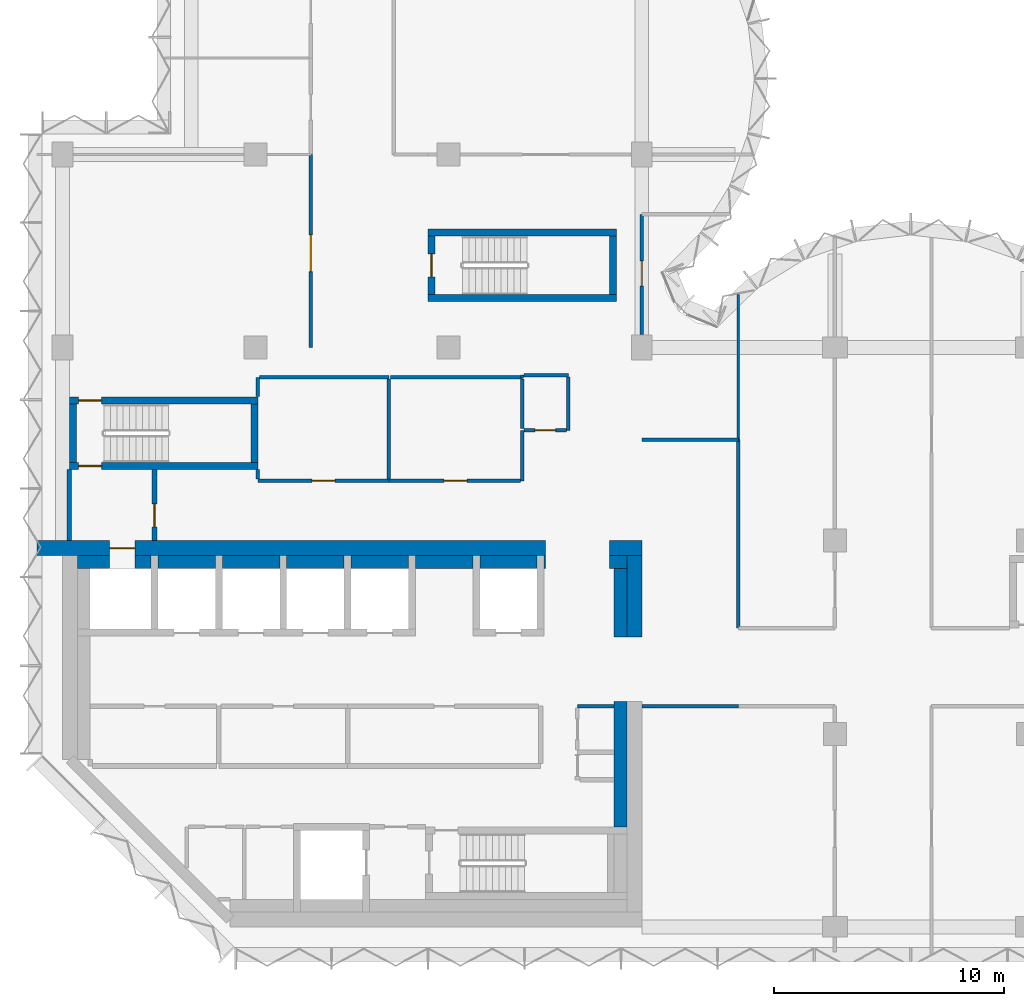
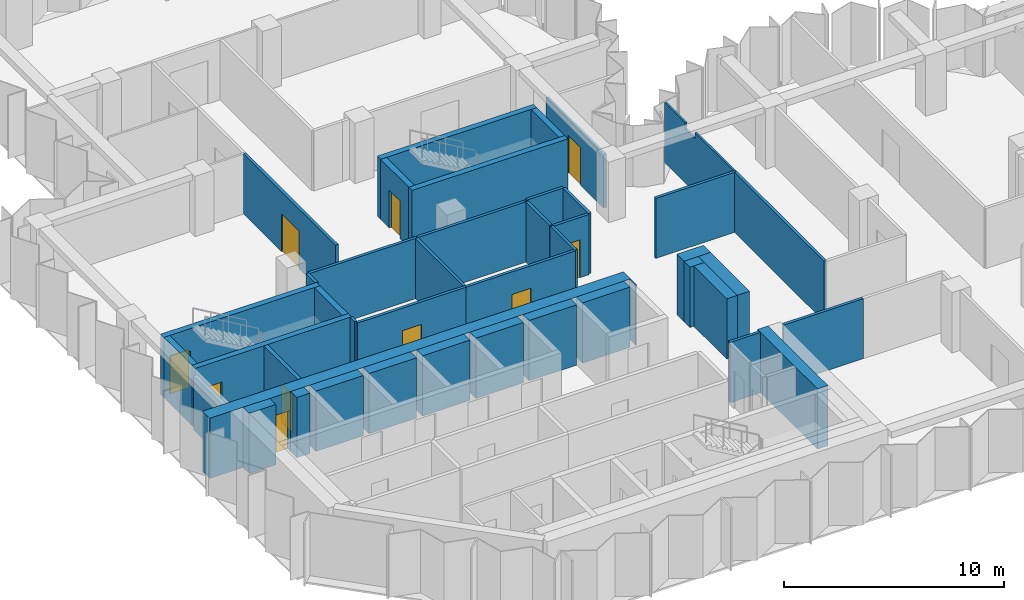
# One storey, part 6 of 10: 45 walls, 10 doors, 10 openings.
"""IFC4 building model written with IfcOpenShell, lengths in metres."""

from ifc_helpers import new_model, si_unit, direction, frame, frame_2d, origin, place, context, subcontext, project, spatial, polyline, rectangle, outline, extrude, material, layer, layer_set, type_object, element, fill, save


model = new_model("IFC4")

# Units and contexts
model_context = context("Model", 3, precision=1e-05, world=origin(), true_north=direction((0.0, 1.0)))
body_context = subcontext(model_context, "Body", "Model", "MODEL_VIEW")
ifc_project = project(units=[si_unit("LENGTHUNIT", "METRE"), si_unit("AREAUNIT", "SQUARE_METRE"), si_unit("VOLUMEUNIT", "CUBIC_METRE"), si_unit("PLANEANGLEUNIT", "RADIAN"), si_unit("MASSUNIT", "GRAM", prefix="KILO")], contexts=[model_context])

# Site, building, storey
site_placement = place(None, origin())
site = spatial("IfcSite", under=ifc_project, at=site_placement, CompositionType="ELEMENT")
building_placement = place(site_placement, origin())
building = spatial("IfcBuilding", under=site, at=building_placement, Name="Brevane Broadcast Tower", CompositionType="ELEMENT")
storey_placement = place(building_placement, frame((0.0, 0.0, 181.199951171875)))
storey = spatial("IfcBuildingStorey", under=building, at=storey_placement, Name="L45", CompositionType="ELEMENT", Elevation=181.199951171875)

# Walls
ifc_material_1 = material(Name="Concrete C32/40", Category="concrete")
ifc_layer_1 = layer(ifc_material_1, 0.550048828125)
ifc_layer_set_1 = layer_set([ifc_layer_1], Name="Core chase wall 550 mm")
wall_type_1 = type_object("IfcWallType", Name="Core chase wall 550 mm", PredefinedType="PARTITIONING", material=ifc_layer_set_1)
wall_1_placement = place(storey_placement, frame((24.27490234375, 12.60009765625, 0.0), z_axis=(0.0, 0.0, 1.0), x_axis=(0.0, 1.0, 0.0)))
element("IfcWall", 1, at=wall_1_placement, inside=storey, type_object=wall_type_1, Name="L45 chase wall LE2", PredefinedType="PARTITIONING", context=body_context, shape_type="SweptSolid", body=[
    extrude(rectangle(XDim=3.0, YDim=0.550048828125, at=frame_2d((1.5, 0.0))), origin(), (0.0, 0.0, 1.0), 3.35009765625),
])
wall_2_placement = place(storey_placement, frame((0.64990234375, 15.875, 0.0), z_axis=(0.0, 0.0, 1.0), x_axis=(1.0, 0.0, 0.0)))
element("IfcWall", 2, at=wall_2_placement, inside=storey, type_object=wall_type_1, Name="L45 chase wall LN0", PredefinedType="PARTITIONING", context=body_context, shape_type="SweptSolid", body=[
    extrude(rectangle(XDim=1.400146484375, YDim=0.550048828125, at=frame_2d((0.7001953125, 0.0))), origin(), (0.0, 0.0, 1.0), 3.35009765625),
])
wall_3_placement = place(storey_placement, frame((23.800048828125, 15.875, 0.0), z_axis=(0.0, 0.0, 1.0), x_axis=(1.0, 0.0, 0.0)))
element("IfcWall", 3, at=wall_3_placement, inside=storey, type_object=wall_type_1, Name="L45 chase wall LN2", PredefinedType="PARTITIONING", context=body_context, shape_type="SweptSolid", body=[
    extrude(rectangle(XDim=0.75, YDim=0.550048828125, at=frame_2d((0.375, 0.0))), origin(), (0.0, 0.0, 1.0), 3.35009765625),
])
wall_4_placement = place(storey_placement, frame((3.14990234375, 15.875, 0.0), z_axis=(0.0, 0.0, 1.0), x_axis=(1.0, 0.0, 0.0)))
element("IfcWall", 4, at=wall_4_placement, inside=storey, type_object=wall_type_1, Name="L45 chase wall LN1-1", PredefinedType="PARTITIONING", context=body_context, shape_type="SweptSolid", body=[
    extrude(rectangle(XDim=0.7001953125, YDim=0.550048828125, at=frame_2d((0.35009765625, 0.0))), origin(), (0.0, 0.0, 1.0), 3.35009765625),
])
for number, where, z_axis, x_axis, name in (
    (5, (4.14990234375, 15.875, 0.0), (0.0, 0.0, 1.0), (1.0, 0.0, 0.0), "L45 chase wall LN1-2-1"),
    (6, (6.949951171875, 15.875, 0.0), (0.0, 0.0, 1.0), (1.0, 0.0, 0.0), "L45 chase wall LN1-2-2-1"),
    (7, (9.75, 15.875, 0.0), (0.0, 0.0, 1.0), (1.0, 0.0, 0.0), "L45 chase wall LN1-2-2-2-1"),
    (8, (12.550048828125, 15.875, 0.0), (0.0, 0.0, 1.0), (1.0, 0.0, 0.0), "L45 chase wall LN1-2-2-2-2-1"),
    (9, (15.35009765625, 15.875, 0.0), (0.0, 0.0, 1.0), (1.0, 0.0, 0.0), "L45 chase wall LN1-2-2-2-2-2-1"),
    (10, (18.14990234375, 15.875, 0.0), (0.0, 0.0, 1.0), (1.0, 0.0, 0.0), "L45 chase wall LN1-2-2-2-2-2-2-1"),
):
    element("IfcWall", number, at=place(storey_placement, frame(where, z_axis=z_axis, x_axis=x_axis)), inside=storey, type_object=wall_type_1, Name=name, PredefinedType="PARTITIONING", context=body_context, shape_type="SweptSolid", body=[
        extrude(rectangle(XDim=2.5, YDim=0.550048828125, at=frame_2d((1.25, 0.0))), origin(), (0.0, 0.0, 1.0), 3.35009765625),
    ])
wall_5_placement = place(storey_placement, frame((20.949951171875, 15.875, 0.0), z_axis=(0.0, 0.0, 1.0), x_axis=(1.0, 0.0, 0.0)))
element("IfcWall", 11, at=wall_5_placement, inside=storey, type_object=wall_type_1, Name="L45 chase wall LN1-2-2-2-2-2-2-2", PredefinedType="PARTITIONING", context=body_context, shape_type="SweptSolid", body=[
    extrude(rectangle(XDim=0.050048828125, YDim=0.550048828125, at=frame_2d((0.02490234375, 0.0))), origin(), (0.0, 0.0, 1.0), 3.35009765625),
])
wall_6_placement = place(storey_placement, frame((24.27490234375, 4.35009765625, 0.0), z_axis=(0.0, 0.0, 1.0), x_axis=(0.0, 1.0, 0.0)))
element("IfcWall", 12, at=wall_6_placement, inside=storey, type_object=wall_type_1, Name="L45 chase wall LE1-2-2", PredefinedType="PARTITIONING", context=body_context, shape_type="SweptSolid", body=[
    extrude(rectangle(XDim=5.449951171875, YDim=0.550048828125, at=frame_2d((2.72509765625, 0.0))), origin(), (0.0, 0.0, 1.0), 3.35009765625),
])

# Wall, opening, door
ifc_material_2 = material(Name="Gypsum board on steel studs", Category="steel")
ifc_layer_2 = layer(ifc_material_2, 0.14990234375)
ifc_layer_set_2 = layer_set([ifc_layer_2], Name="Core fire partition 150 mm")
wall_type_2 = type_object("IfcWallType", Name="Core fire partition 150 mm", PredefinedType="PARTITIONING", material=ifc_layer_set_2)
wall_7_placement = place(storey_placement, frame((14.199951171875, 19.39990234375, 0.0), z_axis=(0.0, 0.0, 1.0), x_axis=(-1.0, 0.0, 0.0)))
wall_7 = element("IfcWall", 13, at=wall_7_placement, inside=storey, type_object=wall_type_2, Name="L45 partition wall P22", PredefinedType="PARTITIONING", context=body_context, shape_type="SweptSolid", body=[
    extrude(rectangle(XDim=5.699951171875, YDim=0.14990234375, at=frame_2d((2.85009765625, 0.0))), origin(), (0.0, 0.0, 1.0), 3.35009765625),
])
opening_1_placement = place(wall_7_placement, frame((2.35009765625, 0.0, 0.0)))
opening_1 = element("IfcOpeningElement", 14, at=opening_1_placement, cuts=wall_7, Name="Opening L45-K24", PredefinedType="OPENING", context=body_context, shape_type="SweptSolid", body=[
    extrude(rectangle(XDim=1.0, YDim=2.10009765625, at=frame_2d((0.5, 1.050048828125))), frame((0.0, 0.0849609375, 0.0), z_axis=(0.0, -1.0, 0.0), x_axis=(1.0, 0.0, 0.0)), (0.0, 0.0, 1.0), 0.169921875),
])
ifc_material_3 = material(Name="Steel", Category="steel")
door_type_1 = type_object("IfcDoorType", Name="Service room door 1000 x 2100", OperationType="SINGLE_SWING_LEFT", PredefinedType="DOOR", material=ifc_material_3)
door_1_placement = place(opening_1_placement, origin())
door_1 = element("IfcDoor", 15, at=door_1_placement, inside=storey, type_object=door_type_1, Name="Door L45-K24", OperationType="SINGLE_SWING_LEFT", OverallHeight=2.10009765625, OverallWidth=1.0, PredefinedType="DOOR", context=body_context, shape_type="SweptSolid", body=[
    extrude(rectangle(XDim=1.0, YDim=2.10009765625, at=frame_2d((0.5, 1.050048828125))), frame((0.0, 0.02490234375, 0.0), z_axis=(0.0, -1.0, 0.0), x_axis=(1.0, 0.0, 0.0)), (0.0, 0.0, 1.0), 0.050048828125),
])
fill(opening_1, door_1)

# Walls
wall_8_placement = place(storey_placement, frame((8.5, 19.47509765625, 0.0), z_axis=(0.0, 0.0, 1.0), x_axis=(0.0, 1.0, 0.0)))
element("IfcWall", 16, at=wall_8_placement, inside=storey, type_object=wall_type_2, Name="L45 partition wall P23", PredefinedType="PARTITIONING", context=body_context, shape_type="SweptSolid", body=[
    extrude(rectangle(XDim=0.412841796875, YDim=0.14990234375, at=frame_2d((0.20654296875, 0.0))), origin(), (0.0, 0.0, 1.0), 3.35009765625),
])
wall_9_placement = place(storey_placement, frame((8.5, 23.06201171875, 0.0), z_axis=(0.0, 0.0, 1.0), x_axis=(0.0, 1.0, 0.0)))
element("IfcWall", 17, at=wall_9_placement, inside=storey, type_object=wall_type_2, Name="L45 partition wall P24", PredefinedType="PARTITIONING", context=body_context, shape_type="SweptSolid", body=[
    extrude(rectangle(XDim=0.837890625, YDim=0.14990234375, at=frame_2d((0.4189453125, 0.0))), origin(), (0.0, 0.0, 1.0), 3.35009765625),
])
wall_10_placement = place(storey_placement, frame((8.574951171875, 23.89990234375, 0.0), z_axis=(0.0, 0.0, 1.0), x_axis=(1.0, 0.0, 0.0)))
element("IfcWall", 18, at=wall_10_placement, inside=storey, type_object=wall_type_2, Name="L45 partition wall P25", PredefinedType="PARTITIONING", context=body_context, shape_type="SweptSolid", body=[
    extrude(rectangle(XDim=5.625, YDim=0.14990234375, at=frame_2d((2.8125, 0.0))), origin(), (0.0, 0.0, 1.0), 3.35009765625),
])
wall_11_placement = place(storey_placement, frame((20.0, 21.60009765625, 0.0), z_axis=(0.0, 0.0, 1.0), x_axis=(0.0, -1.0, 0.0)))
element("IfcWall", 19, at=wall_11_placement, inside=storey, type_object=wall_type_2, Name="L45 partition wall P26", PredefinedType="PARTITIONING", context=body_context, shape_type="SweptSolid", body=[
    extrude(rectangle(XDim=2.2001953125, YDim=0.14990234375, at=frame_2d((1.10009765625, 0.0))), origin(), (0.0, 0.0, 1.0), 3.35009765625),
])

# Wall, opening, door
wall_12_placement = place(storey_placement, frame((19.925048828125, 19.39990234375, 0.0), z_axis=(0.0, 0.0, 1.0), x_axis=(-1.0, 0.0, 0.0)))
wall_12 = element("IfcWall", 20, at=wall_12_placement, inside=storey, type_object=wall_type_2, Name="L45 partition wall P27", PredefinedType="PARTITIONING", context=body_context, shape_type="SweptSolid", body=[
    extrude(rectangle(XDim=5.72509765625, YDim=0.14990234375, at=frame_2d((2.862548828125, 0.0))), origin(), (0.0, 0.0, 1.0), 3.35009765625),
])
opening_2_placement = place(wall_12_placement, frame((2.324951171875, 0.0, 0.0)))
opening_2 = element("IfcOpeningElement", 21, at=opening_2_placement, cuts=wall_12, Name="Opening L45-K25", PredefinedType="OPENING", context=body_context, shape_type="SweptSolid", body=[
    extrude(rectangle(XDim=1.0, YDim=2.10009765625, at=frame_2d((0.5, 1.050048828125))), frame((0.0, 0.0849609375, 0.0), z_axis=(0.0, -1.0, 0.0), x_axis=(1.0, 0.0, 0.0)), (0.0, 0.0, 1.0), 0.169921875),
])
door_2_placement = place(opening_2_placement, origin())
door_2 = element("IfcDoor", 22, at=door_2_placement, inside=storey, type_object=door_type_1, Name="Door L45-K25", OperationType="SINGLE_SWING_RIGHT", OverallHeight=2.10009765625, OverallWidth=1.0, PredefinedType="DOOR", context=body_context, shape_type="SweptSolid", body=[
    extrude(rectangle(XDim=1.0, YDim=2.10009765625, at=frame_2d((0.5, 1.050048828125))), frame((0.0, 0.02490234375, 0.0), z_axis=(0.0, -1.0, 0.0), x_axis=(1.0, 0.0, 0.0)), (0.0, 0.0, 1.0), 0.050048828125),
])
fill(opening_2, door_2)

# Walls
wall_13_placement = place(storey_placement, frame((14.199951171875, 23.824951171875, 0.0), z_axis=(0.0, 0.0, 1.0), x_axis=(0.0, -1.0, 0.0)))
element("IfcWall", 23, at=wall_13_placement, inside=storey, type_object=wall_type_2, Name="L45 partition wall P28", PredefinedType="PARTITIONING", context=body_context, shape_type="SweptSolid", body=[
    extrude(rectangle(XDim=4.349853515625, YDim=0.14990234375, at=frame_2d((2.1748046875, 0.0))), origin(), (0.0, 0.0, 1.0), 3.35009765625),
])
wall_14_placement = place(storey_placement, frame((14.27490234375, 23.89990234375, 0.0), z_axis=(0.0, 0.0, 1.0), x_axis=(1.0, 0.0, 0.0)))
element("IfcWall", 24, at=wall_14_placement, inside=storey, type_object=wall_type_2, Name="L45 partition wall P29", PredefinedType="PARTITIONING", context=body_context, shape_type="SweptSolid", body=[
    extrude(rectangle(XDim=5.72509765625, YDim=0.14990234375, at=frame_2d((2.862548828125, 0.0))), origin(), (0.0, 0.0, 1.0), 3.35009765625),
])
wall_15_placement = place(storey_placement, frame((20.0, 23.89990234375, 0.0), z_axis=(0.0, 0.0, 1.0), x_axis=(0.0, 1.0, 0.0)))
element("IfcWall", 25, at=wall_15_placement, inside=storey, type_object=wall_type_2, Name="L45 partition wall P30", PredefinedType="PARTITIONING", context=body_context, shape_type="SweptSolid", body=[
    extrude(rectangle(XDim=0.10009765625, YDim=0.14990234375, at=frame_2d((0.050048828125, 0.0))), origin(), (0.0, 0.0, 1.0), 3.35009765625),
])
wall_16_placement = place(storey_placement, frame((20.074951171875, 24.0, 0.0), z_axis=(0.0, 0.0, 1.0), x_axis=(1.0, 0.0, 0.0)))
element("IfcWall", 26, at=wall_16_placement, inside=storey, type_object=wall_type_2, Name="L45 partition wall P31", PredefinedType="PARTITIONING", context=body_context, shape_type="SweptSolid", body=[
    extrude(rectangle(XDim=1.925048828125, YDim=0.14990234375, at=frame_2d((0.96240234375, 0.0))), origin(), (0.0, 0.0, 1.0), 3.35009765625),
])
wall_17_placement = place(storey_placement, frame((22.0, 23.925048828125, 0.0), z_axis=(0.0, 0.0, 1.0), x_axis=(0.0, -1.0, 0.0)))
element("IfcWall", 27, at=wall_17_placement, inside=storey, type_object=wall_type_2, Name="L45 partition wall P32", PredefinedType="PARTITIONING", context=body_context, shape_type="SweptSolid", body=[
    extrude(rectangle(XDim=2.324951171875, YDim=0.14990234375, at=frame_2d((1.16259765625, 0.0))), origin(), (0.0, 0.0, 1.0), 3.35009765625),
])

# Wall, opening, door
wall_18_placement = place(storey_placement, frame((21.925048828125, 21.60009765625, 0.0), z_axis=(0.0, 0.0, 1.0), x_axis=(-1.0, 0.0, 0.0)))
wall_18 = element("IfcWall", 28, at=wall_18_placement, inside=storey, type_object=wall_type_2, Name="L45 partition wall P33", PredefinedType="PARTITIONING", context=body_context, shape_type="SweptSolid", body=[
    extrude(rectangle(XDim=1.85009765625, YDim=0.14990234375, at=frame_2d((0.925048828125, 0.0))), origin(), (0.0, 0.0, 1.0), 3.35009765625),
])
opening_3_placement = place(wall_18_placement, frame((0.47509765625, 0.0, 0.0)))
opening_3 = element("IfcOpeningElement", 29, at=opening_3_placement, cuts=wall_18, Name="Opening L45-K23", PredefinedType="OPENING", context=body_context, shape_type="SweptSolid", body=[
    extrude(rectangle(XDim=0.89990234375, YDim=2.10009765625, at=frame_2d((0.449951171875, 1.050048828125))), frame((0.0, 0.0849609375, 0.0), z_axis=(0.0, -1.0, 0.0), x_axis=(1.0, 0.0, 0.0)), (0.0, 0.0, 1.0), 0.169921875),
])
ifc_material_4 = material(Name="Timber", Category="wood")
door_type_2 = type_object("IfcDoorType", Name="Toilet door 900 x 2100", OperationType="SINGLE_SWING_LEFT", PredefinedType="DOOR", material=ifc_material_4)
door_3_placement = place(opening_3_placement, origin())
door_3 = element("IfcDoor", 30, at=door_3_placement, inside=storey, type_object=door_type_2, Name="Door L45-K23", OperationType="SINGLE_SWING_RIGHT", OverallHeight=2.10009765625, OverallWidth=0.89990234375, PredefinedType="DOOR", context=body_context, shape_type="SweptSolid", body=[
    extrude(rectangle(XDim=0.89990234375, YDim=2.10009765625, at=frame_2d((0.449951171875, 1.050048828125))), frame((0.0, 0.02490234375, 0.0), z_axis=(0.0, -1.0, 0.0), x_axis=(1.0, 0.0, 0.0)), (0.0, 0.0, 1.0), 0.050048828125),
])
fill(opening_3, door_3)

# Walls
wall_19_placement = place(storey_placement, frame((20.0, 21.675048828125, 0.0), z_axis=(0.0, 0.0, 1.0), x_axis=(0.0, 1.0, 0.0)))
element("IfcWall", 31, at=wall_19_placement, inside=storey, type_object=wall_type_2, Name="L45 partition wall P34", PredefinedType="PARTITIONING", context=body_context, shape_type="SweptSolid", body=[
    extrude(rectangle(XDim=2.14990234375, YDim=0.14990234375, at=frame_2d((1.074951171875, 0.0))), origin(), (0.0, 0.0, 1.0), 3.35009765625),
])
wall_20_placement = place(storey_placement, frame((23.988037109375, 9.60009765625, 0.0), z_axis=(0.0, 0.0, 1.0), x_axis=(-1.0, 0.0, 0.0)))
element("IfcWall", 32, at=wall_20_placement, inside=storey, type_object=wall_type_2, Name="L45 partition wall P35", PredefinedType="PARTITIONING", context=body_context, shape_type="SweptSolid", body=[
    extrude(rectangle(XDim=1.588134765625, YDim=0.14990234375, at=frame_2d((0.7939453125, 0.0))), origin(), (0.0, 0.0, 1.0), 3.35009765625),
])
ifc_layer_3 = layer(ifc_material_2, 0.199951171875)
ifc_layer_set_3 = layer_set([ifc_layer_3], Name="Core fire partition 200 mm")
wall_type_3 = type_object("IfcWallType", Name="Core fire partition 200 mm", PredefinedType="PARTITIONING", material=ifc_layer_set_3)
wall_21_placement = place(storey_placement, frame((0.300048828125, 16.81201171875, 0.0), z_axis=(0.0, 0.0, 1.0), x_axis=(0.0, 1.0, 0.0)))
element("IfcWall", 33, at=wall_21_placement, inside=storey, type_object=wall_type_3, Name="L45 partition wall P01", PredefinedType="PARTITIONING", context=body_context, shape_type="SweptSolid", body=[
    extrude(rectangle(XDim=3.075927734375, YDim=0.199951171875, at=frame_2d((1.5380859375, 0.0))), origin(), (0.0, 0.0, 1.0), 2.97998046875),
])

# Wall, opening, door
wall_22_placement = place(storey_placement, frame((4.0, 19.887939453125, 0.0), z_axis=(0.0, 0.0, 1.0), x_axis=(0.0, -1.0, 0.0)))
wall_22 = element("IfcWall", 34, at=wall_22_placement, inside=storey, type_object=wall_type_3, Name="L45 partition wall P02", PredefinedType="PARTITIONING", context=body_context, shape_type="SweptSolid", body=[
    extrude(rectangle(XDim=3.075927734375, YDim=0.199951171875, at=frame_2d((1.5380859375, 0.0))), origin(), (0.0, 0.0, 1.0), 3.35009765625),
])
opening_4_placement = place(wall_22_placement, frame((1.488037109375, 0.0, 0.0)))
opening_4 = element("IfcOpeningElement", 35, at=opening_4_placement, cuts=wall_22, Name="Opening L45-K22", PredefinedType="OPENING", context=body_context, shape_type="SweptSolid", body=[
    extrude(rectangle(XDim=1.0, YDim=2.10009765625, at=frame_2d((0.5, 1.050048828125))), frame((0.0, 0.10986328125, 0.0), z_axis=(0.0, -1.0, 0.0), x_axis=(1.0, 0.0, 0.0)), (0.0, 0.0, 1.0), 0.219970703125),
])
door_type_3 = type_object("IfcDoorType", Name="Stair door 1000 x 2100", OperationType="SINGLE_SWING_LEFT", PredefinedType="DOOR", material=ifc_material_3)
door_4_placement = place(opening_4_placement, origin())
door_4 = element("IfcDoor", 36, at=door_4_placement, inside=storey, type_object=door_type_3, Name="Door L45-K22", OperationType="SINGLE_SWING_LEFT", OverallHeight=2.10009765625, OverallWidth=1.0, PredefinedType="DOOR", context=body_context, shape_type="SweptSolid", body=[
    extrude(rectangle(XDim=1.0, YDim=2.10009765625, at=frame_2d((0.5, 1.050048828125))), frame((0.0, 0.02490234375, 0.0), z_axis=(0.0, -1.0, 0.0), x_axis=(1.0, 0.0, 0.0)), (0.0, 0.0, 1.0), 0.050048828125),
])
fill(opening_4, door_4)

ifc_material_5 = material(Name="Concrete C60/75", Category="concrete")
ifc_layer_4 = layer(ifc_material_5, 0.300048828125)
ifc_layer_set_4 = layer_set([ifc_layer_4], Name="Core wall 300 mm C60/75")
wall_type_4 = type_object("IfcWallType", Name="Core wall 300 mm C60/75", PredefinedType="SHEAR", material=ifc_layer_set_4)
wall_23_placement = place(storey_placement, frame((8.5, 20.050048828125, 0.0), z_axis=(0.0, 0.0, 1.0), x_axis=(-1.0, 0.0, 0.0)))
wall_23 = element("IfcWall", 37, at=wall_23_placement, inside=storey, type_object=wall_type_4, Name="L45 stair wall ST-1-S", PredefinedType="SHEAR", context=body_context, shape_type="SweptSolid", body=[
    extrude(rectangle(XDim=8.199951171875, YDim=0.300048828125, at=frame_2d((4.10009765625, 0.0))), origin(), (0.0, 0.0, 1.0), 3.35009765625),
])
opening_5_placement = place(wall_23_placement, frame((6.800048828125, 0.0, 0.0)))
opening_5 = element("IfcOpeningElement", 38, at=opening_5_placement, cuts=wall_23, Name="Opening L45-K08", PredefinedType="OPENING", context=body_context, shape_type="SweptSolid", body=[
    extrude(rectangle(XDim=1.0, YDim=2.10009765625, at=frame_2d((0.5, 1.050048828125))), frame((0.0, 0.159912109375, 0.0), z_axis=(0.0, -1.0, 0.0), x_axis=(1.0, 0.0, 0.0)), (0.0, 0.0, 1.0), 0.320068359375),
])
door_5_placement = place(opening_5_placement, origin())
door_5 = element("IfcDoor", 39, at=door_5_placement, inside=storey, type_object=door_type_3, Name="Door L45-K08", OperationType="SINGLE_SWING_LEFT", OverallHeight=2.10009765625, OverallWidth=1.0, PredefinedType="DOOR", context=body_context, shape_type="SweptSolid", body=[
    extrude(rectangle(XDim=1.0, YDim=2.10009765625, at=frame_2d((0.5, 1.050048828125))), frame((0.0, 0.02490234375, 0.0), z_axis=(0.0, -1.0, 0.0), x_axis=(1.0, 0.0, 0.0)), (0.0, 0.0, 1.0), 0.050048828125),
])
fill(opening_5, door_5)

wall_24_placement = place(storey_placement, frame((0.300048828125, 22.89990234375, 0.0), z_axis=(0.0, 0.0, 1.0), x_axis=(1.0, 0.0, 0.0)))
wall_24 = element("IfcWall", 40, at=wall_24_placement, inside=storey, type_object=wall_type_4, Name="L45 stair wall ST-1-N", PredefinedType="SHEAR", context=body_context, shape_type="SweptSolid", body=[
    extrude(rectangle(XDim=8.199951171875, YDim=0.300048828125, at=frame_2d((4.10009765625, 0.0))), origin(), (0.0, 0.0, 1.0), 3.35009765625),
])
opening_6_placement = place(wall_24_placement, frame((0.39990234375, 0.0, 0.0)))
opening_6 = element("IfcOpeningElement", 41, at=opening_6_placement, cuts=wall_24, Name="Opening L45-K09", PredefinedType="OPENING", context=body_context, shape_type="SweptSolid", body=[
    extrude(rectangle(XDim=1.0, YDim=2.10009765625, at=frame_2d((0.5, 1.050048828125))), frame((0.0, 0.159912109375, 0.0), z_axis=(0.0, -1.0, 0.0), x_axis=(1.0, 0.0, 0.0)), (0.0, 0.0, 1.0), 0.320068359375),
])
door_6_placement = place(opening_6_placement, origin())
door_6 = element("IfcDoor", 42, at=door_6_placement, inside=storey, type_object=door_type_3, Name="Door L45-K09", OperationType="SINGLE_SWING_RIGHT", OverallHeight=2.10009765625, OverallWidth=1.0, PredefinedType="DOOR", context=body_context, shape_type="SweptSolid", body=[
    extrude(rectangle(XDim=1.0, YDim=2.10009765625, at=frame_2d((0.5, 1.050048828125))), frame((0.0, 0.02490234375, 0.0), z_axis=(0.0, -1.0, 0.0), x_axis=(1.0, 0.0, 0.0)), (0.0, 0.0, 1.0), 0.050048828125),
])
fill(opening_6, door_6)

# Walls
for number, where, z_axis, x_axis, name in (
    (43, (0.449951171875, 20.199951171875, 0.0), (0.0, 0.0, 1.0), (0.0, 1.0, 0.0), "L45 stair wall ST-1-W"),
    (44, (8.35009765625, 20.199951171875, 0.0), (0.0, 0.0, 1.0), (0.0, 1.0, 0.0), "L45 stair wall ST-1-E"),
):
    element("IfcWall", number, at=place(storey_placement, frame(where, z_axis=z_axis, x_axis=x_axis)), inside=storey, type_object=wall_type_4, Name=name, PredefinedType="SHEAR", context=body_context, shape_type="SweptSolid", body=[
        extrude(rectangle(XDim=2.550048828125, YDim=0.300048828125, at=frame_2d((1.27490234375, 0.0))), origin(), (0.0, 0.0, 1.0), 3.35009765625),
    ])
for number, where, z_axis, x_axis, name in (
    (45, (15.89990234375, 27.35009765625, 0.0), (0.0, 0.0, 1.0), (1.0, 0.0, 0.0), "L45 stair wall ST-3-S"),
    (46, (15.89990234375, 30.199951171875, 0.0), (0.0, 0.0, 1.0), (1.0, 0.0, 0.0), "L45 stair wall ST-3-N"),
):
    element("IfcWall", number, at=place(storey_placement, frame(where, z_axis=z_axis, x_axis=x_axis)), inside=storey, type_object=wall_type_4, Name=name, PredefinedType="SHEAR", context=body_context, shape_type="SweptSolid", body=[
        extrude(rectangle(XDim=8.2001953125, YDim=0.300048828125, at=frame_2d((4.10009765625, 0.0))), origin(), (0.0, 0.0, 1.0), 3.35009765625),
    ])

# Wall, opening, door
wall_25_placement = place(storey_placement, frame((16.050048828125, 27.5, 0.0), z_axis=(0.0, 0.0, 1.0), x_axis=(0.0, 1.0, 0.0)))
wall_25 = element("IfcWall", 47, at=wall_25_placement, inside=storey, type_object=wall_type_4, Name="L45 stair wall ST-3-W", PredefinedType="SHEAR", context=body_context, shape_type="SweptSolid", body=[
    extrude(rectangle(XDim=2.550048828125, YDim=0.300048828125, at=frame_2d((1.27490234375, 0.0))), origin(), (0.0, 0.0, 1.0), 3.35009765625),
])
opening_7_placement = place(wall_25_placement, frame((0.77490234375, 0.0, 0.0)))
opening_7 = element("IfcOpeningElement", 48, at=opening_7_placement, cuts=wall_25, Name="Opening L45-K12", PredefinedType="OPENING", context=body_context, shape_type="SweptSolid", body=[
    extrude(rectangle(XDim=1.0, YDim=2.10009765625, at=frame_2d((0.5, 1.050048828125))), frame((0.0, 0.159912109375, 0.0), z_axis=(0.0, -1.0, 0.0), x_axis=(1.0, 0.0, 0.0)), (0.0, 0.0, 1.0), 0.320068359375),
])
door_7_placement = place(opening_7_placement, origin())
door_7 = element("IfcDoor", 49, at=door_7_placement, inside=storey, type_object=door_type_3, Name="Door L45-K12", OperationType="SINGLE_SWING_LEFT", OverallHeight=2.10009765625, OverallWidth=1.0, PredefinedType="DOOR", context=body_context, shape_type="SweptSolid", body=[
    extrude(rectangle(XDim=1.0, YDim=2.10009765625, at=frame_2d((0.5, 1.050048828125))), frame((0.0, 0.02490234375, 0.0), z_axis=(0.0, -1.0, 0.0), x_axis=(1.0, 0.0, 0.0)), (0.0, 0.0, 1.0), 0.050048828125),
])
fill(opening_7, door_7)

# Wall
wall_26_placement = place(storey_placement, frame((23.949951171875, 27.5, 0.0), z_axis=(0.0, 0.0, 1.0), x_axis=(0.0, 1.0, 0.0)))
element("IfcWall", 50, at=wall_26_placement, inside=storey, type_object=wall_type_4, Name="L45 stair wall ST-3-E", PredefinedType="SHEAR", context=body_context, shape_type="SweptSolid", body=[
    extrude(rectangle(XDim=2.550048828125, YDim=0.300048828125, at=frame_2d((1.27490234375, 0.0))), origin(), (0.0, 0.0, 1.0), 3.35009765625),
])

# Wall, opening, door
ifc_layer_5 = layer(ifc_material_5, 0.64990234375)
ifc_layer_set_5 = layer_set([ifc_layer_5], Name="Core wall 650 mm C60/75")
wall_type_5 = type_object("IfcWallType", Name="Core wall 650 mm C60/75", PredefinedType="SHEAR", material=ifc_layer_set_5)
wall_27_placement = place(storey_placement, frame((-1.10009765625, 16.47509765625, 0.0), z_axis=(0.0, 0.0, 1.0), x_axis=(1.0, 0.0, 0.0)))
wall_27 = element("IfcWall", 51, at=wall_27_placement, inside=storey, type_object=wall_type_5, Name="L45 outer wall WN1", PredefinedType="SHEAR", context=body_context, shape_type="SweptSolid", body=[
    extrude(rectangle(XDim=22.10009765625, YDim=0.64990234375, at=frame_2d((11.050048828125, 0.0))), origin(), (0.0, 0.0, 1.0), 3.35009765625),
])
opening_8_placement = place(wall_27_placement, frame((3.14990234375, 0.0, 0.0)))
opening_8 = element("IfcOpeningElement", 52, at=opening_8_placement, cuts=wall_27, Name="Opening LD", PredefinedType="OPENING", context=body_context, shape_type="SweptSolid", body=[
    extrude(rectangle(XDim=1.10009765625, YDim=2.300048828125, at=frame_2d((0.550048828125, 1.14990234375))), frame((0.0, 0.3349609375, 0.0), z_axis=(0.0, -1.0, 0.0), x_axis=(1.0, 0.0, 0.0)), (0.0, 0.0, 1.0), 0.669921875),
])
ifc_material_6 = material(Name="Stainless steel", Category="steel")
door_type_4 = type_object("IfcDoorType", Name="Lift landing door", OperationType="SLIDING_TO_LEFT", PredefinedType="DOOR", material=ifc_material_6)
door_8_placement = place(opening_8_placement, origin())
door_8 = element("IfcDoor", 53, at=door_8_placement, inside=storey, type_object=door_type_4, Name="Landing door FF1 L45", OperationType="SLIDING_TO_LEFT", OverallHeight=2.300048828125, OverallWidth=1.10009765625, PredefinedType="DOOR", context=body_context, shape_type="SweptSolid", body=[
    extrude(rectangle(XDim=1.10009765625, YDim=2.300048828125, at=frame_2d((0.550048828125, 1.14990234375))), frame((0.0, 0.02490234375, 0.0), z_axis=(0.0, -1.0, 0.0), x_axis=(1.0, 0.0, 0.0)), (0.0, 0.0, 1.0), 0.050048828125),
])
fill(opening_8, door_8)

# Walls
wall_28_placement = place(storey_placement, frame((23.800048828125, 16.47509765625, 0.0), z_axis=(0.0, 0.0, 1.0), x_axis=(1.0, 0.0, 0.0)))
element("IfcWall", 54, at=wall_28_placement, inside=storey, type_object=wall_type_5, Name="L45 outer wall WN2", PredefinedType="SHEAR", context=body_context, shape_type="SweptSolid", body=[
    extrude(rectangle(XDim=1.39990234375, YDim=0.64990234375, at=frame_2d((0.699951171875, 0.0))), origin(), (0.0, 0.0, 1.0), 3.35009765625),
])
wall_29_placement = place(storey_placement, frame((24.875, 12.60009765625, 0.0), z_axis=(0.0, 0.0, 1.0), x_axis=(0.0, 1.0, 0.0)))
element("IfcWall", 55, at=wall_29_placement, inside=storey, type_object=wall_type_5, Name="L45 outer wall WE2", PredefinedType="SHEAR", context=body_context, shape_type="SweptSolid", body=[
    extrude(rectangle(XDim=3.5498046875, YDim=0.64990234375, at=frame_2d((1.77490234375, 0.0))), origin(), (0.0, 0.0, 1.0), 3.35009765625),
])
ifc_material_7 = material(Name="Gypsum board partition")
ifc_layer_6 = layer(ifc_material_7, 0.10009765625)
ifc_layer_set_6 = layer_set([ifc_layer_6], Name="PARTITION 100 STUD")
wall_type_6 = type_object("IfcWallType", Name="PARTITION 100 STUD", PredefinedType="PARTITIONING", material=ifc_layer_set_6)
wall_30_placement = place(storey_placement, frame((29.39990234375, 27.510986328125, 0.0), z_axis=(0.0, 0.0, 1.0), x_axis=(0.0, -1.0, 0.0)))
element("IfcWall", 56, at=wall_30_placement, inside=storey, type_object=wall_type_6, Name="Partition G13-004", PredefinedType="PARTITIONING", context=body_context, shape_type="SweptSolid", body=[
    extrude(outline(polyline([(0.0, 0.0), (6.31103515625, 0.0), (6.31103515625, 3.330078125), (2.760986328125, 3.330078125), (2.759033203125, 2.97998046875), (1.863037109375, 2.97998046875), (1.861083984375, 3.330078125), (0.236083984375, 3.330078125), (0.0, 3.330078125), (0.0, 0.0)])), frame((0.0, 0.050048828125, 0.0), z_axis=(0.0, -1.0, 0.0), x_axis=(1.0, 0.0, 0.0)), (0.0, 0.0, 1.0), 0.10009765625),
])
ifc_layer_7 = layer(ifc_material_7, 0.14990234375)
ifc_layer_set_7 = layer_set([ifc_layer_7], Name="PARTITION 150 EI 60")
wall_type_7 = type_object("IfcWallType", Name="PARTITION 150 EI 60", PredefinedType="PARTITIONING", material=ifc_layer_set_7)
for number, where, z_axis, x_axis, name in (
    (57, (25.199951171875, 21.199951171875, 0.0), (0.0, 0.0, 1.0), (1.0, 0.0, 0.0), "Partition G13-001"),
    (58, (29.39990234375, 9.60009765625, 0.0), (0.0, 0.0, 1.0), (-1.0, 0.0, 0.0), "Partition G13-002"),
):
    element("IfcWall", number, at=place(storey_placement, frame(where, z_axis=z_axis, x_axis=x_axis)), inside=storey, type_object=wall_type_7, Name=name, PredefinedType="PARTITIONING", context=body_context, shape_type="SweptSolid", body=[
        extrude(rectangle(XDim=4.199951171875, YDim=0.14990234375, at=frame_2d((2.10009765625, 0.0))), origin(), (0.0, 0.0, 1.0), 3.330078125),
    ])
wall_31_placement = place(storey_placement, frame((29.39990234375, 21.199951171875, 0.0), z_axis=(0.0, 0.0, 1.0), x_axis=(0.0, -1.0, 0.0)))
element("IfcWall", 59, at=wall_31_placement, inside=storey, type_object=wall_type_7, Name="Partition G13-003", PredefinedType="PARTITIONING", context=body_context, shape_type="SweptSolid", body=[
    extrude(rectangle(XDim=8.199951171875, YDim=0.14990234375, at=frame_2d((4.10009765625, 0.0))), origin(), (0.0, 0.0, 1.0), 3.330078125),
])

# Wall, opening, door
wall_32_placement = place(storey_placement, frame((25.199951171875, 31.0, 0.0), z_axis=(0.0, 0.0, 1.0), x_axis=(0.0, -1.0, 0.0)))
wall_32 = element("IfcWall", 60, at=wall_32_placement, inside=storey, type_object=wall_type_7, Name="Partition G13-005", PredefinedType="PARTITIONING", context=body_context, shape_type="SweptSolid", body=[
    extrude(outline(polyline([(0.0, 0.0), (5.22998046875, 0.0), (5.22998046875, 2.97998046875), (0.0, 2.97998046875), (0.0, 0.0)])), frame((0.0, 0.074951171875, 0.0), z_axis=(0.0, -1.0, 0.0), x_axis=(1.0, 0.0, 0.0)), (0.0, 0.0, 1.0), 0.14990234375),
])
opening_9_placement = place(wall_32_placement, frame((2.030029296875, 0.0, 0.0)))
opening_9 = element("IfcOpeningElement", 61, at=opening_9_placement, cuts=wall_32, Name="Opening D22-001", PredefinedType="OPENING", context=body_context, shape_type="SweptSolid", body=[
    extrude(rectangle(XDim=1.10009765625, YDim=2.10009765625, at=frame_2d((0.550048828125, 1.050048828125))), frame((0.0, 0.0849609375, 0.0), z_axis=(0.0, -1.0, 0.0), x_axis=(1.0, 0.0, 0.0)), (0.0, 0.0, 1.0), 0.169921875),
])
ifc_material_8 = material(Name="Fire-rated timber door leaf", Category="wood")
door_type_5 = type_object("IfcDoorType", Name="DOOR SINGLE 1100 FD30S", OperationType="SINGLE_SWING_LEFT", PredefinedType="DOOR", material=ifc_material_8)
door_9_placement = place(opening_9_placement, origin())
door_9 = element("IfcDoor", 62, at=door_9_placement, inside=storey, type_object=door_type_5, Name="Door D22-001", OperationType="SINGLE_SWING_RIGHT", OverallHeight=2.10009765625, OverallWidth=1.10009765625, PredefinedType="DOOR", context=body_context, shape_type="SweptSolid", body=[
    extrude(rectangle(XDim=1.10009765625, YDim=2.10009765625, at=frame_2d((0.550048828125, 1.050048828125))), frame((0.0, 0.02490234375, 0.0), z_axis=(0.0, -1.0, 0.0), x_axis=(1.0, 0.0, 0.0)), (0.0, 0.0, 1.0), 0.050048828125),
])
fill(opening_9, door_9)

wall_33_placement = place(storey_placement, frame((10.800048828125, 25.199951171875, 0.0), z_axis=(0.0, 0.0, 1.0), x_axis=(0.0, 1.0, 0.0)))
wall_33 = element("IfcWall", 63, at=wall_33_placement, inside=storey, type_object=wall_type_7, Name="Partition G13-034", PredefinedType="PARTITIONING", context=body_context, shape_type="SweptSolid", body=[
    extrude(rectangle(XDim=8.400146484375, YDim=0.14990234375, at=frame_2d((4.2001953125, 0.0))), origin(), (0.0, 0.0, 1.0), 3.330078125),
])
opening_10_placement = place(wall_33_placement, frame((3.300048828125, 0.0, 0.0)))
opening_10 = element("IfcOpeningElement", 64, at=opening_10_placement, cuts=wall_33, Name="Opening D22-013", PredefinedType="OPENING", context=body_context, shape_type="SweptSolid", body=[
    extrude(rectangle(XDim=1.60009765625, YDim=2.10009765625, at=frame_2d((0.800048828125, 1.050048828125))), frame((0.0, 0.0849609375, 0.0), z_axis=(0.0, -1.0, 0.0), x_axis=(1.0, 0.0, 0.0)), (0.0, 0.0, 1.0), 0.169921875),
])
door_type_6 = type_object("IfcDoorType", Name="DOOR DOUBLE 1600 FD30S", OperationType="DOUBLE_DOOR_SINGLE_SWING", PredefinedType="DOOR", material=ifc_material_8)
door_10_placement = place(opening_10_placement, origin())
door_10 = element("IfcDoor", 65, at=door_10_placement, inside=storey, type_object=door_type_6, Name="Door D22-013", OperationType="DOUBLE_DOOR_SINGLE_SWING", OverallHeight=2.10009765625, OverallWidth=1.60009765625, PredefinedType="DOOR", context=body_context, shape_type="SweptSolid", body=[
    extrude(rectangle(XDim=1.60009765625, YDim=2.10009765625, at=frame_2d((0.800048828125, 1.050048828125))), frame((0.0, 0.02490234375, 0.0), z_axis=(0.0, -1.0, 0.0), x_axis=(1.0, 0.0, 0.0)), (0.0, 0.0, 1.0), 0.050048828125),
])
fill(opening_10, door_10)

save(model, "model.ifc")
